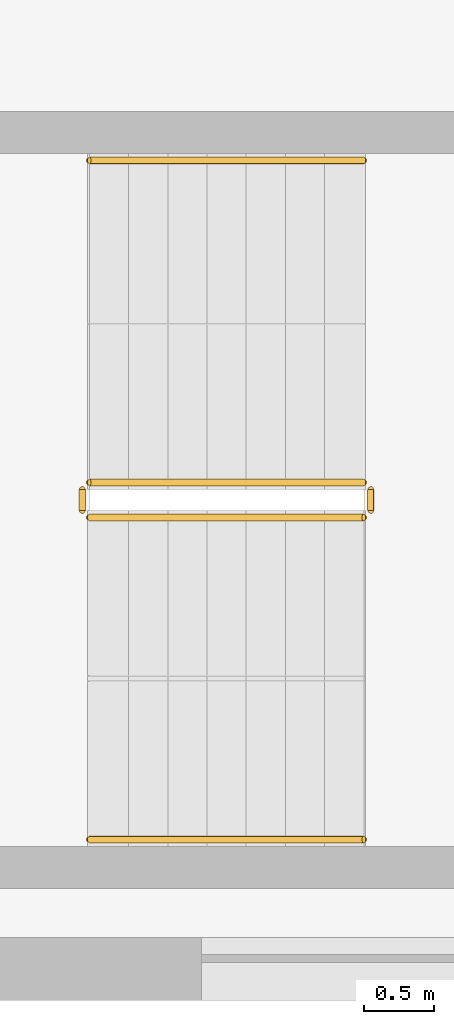
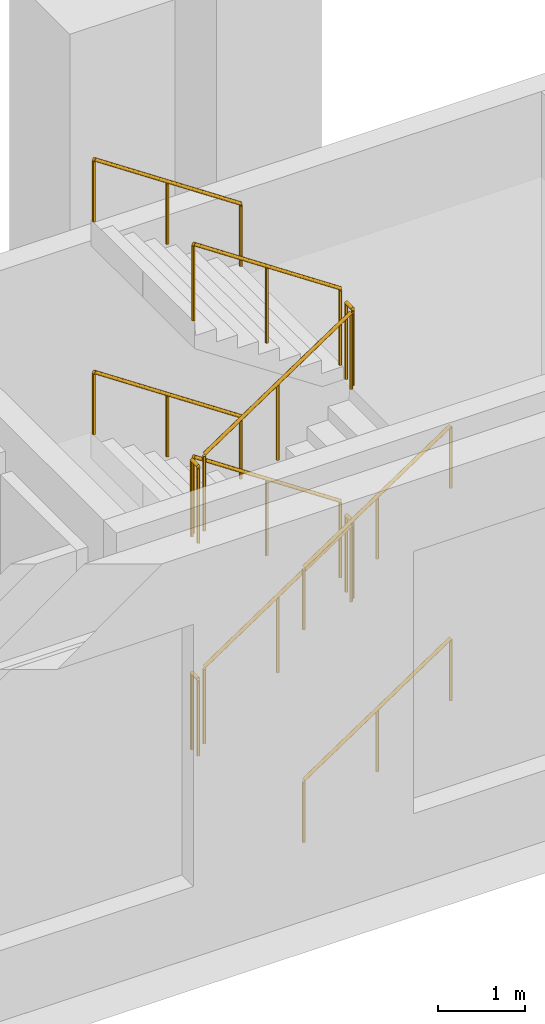
# One storey, part 23 of 30: 12 railings.
"""IFC4 building model written with IfcOpenShell, lengths in metres."""

from ifc_helpers import new_model, si_unit, direction, frame, origin, origin_2d, place, context, subcontext, project, spatial, circle, extrude, material, type_object, element, save


model = new_model("IFC4")

# Units and contexts
model_context = context("Model", 3, precision=1e-05, world=origin(), true_north=direction((0.0, 1.0)))
body_context = subcontext(model_context, "Body", "Model", "MODEL_VIEW")
ifc_project = project(units=[si_unit("LENGTHUNIT", "METRE"), si_unit("AREAUNIT", "SQUARE_METRE"), si_unit("VOLUMEUNIT", "CUBIC_METRE"), si_unit("PLANEANGLEUNIT", "RADIAN"), si_unit("MASSUNIT", "GRAM", prefix="KILO")], contexts=[model_context])

# Site, building, storey
site_placement = place(None, origin())
site = spatial("IfcSite", under=ifc_project, at=site_placement, CompositionType="ELEMENT")
building_placement = place(site_placement, origin())
building = spatial("IfcBuilding", under=site, at=building_placement, Name="Wharfspan Tower", CompositionType="ELEMENT")
storey_placement = place(building_placement, frame((0.0, 0.0, 21.5)))
storey = spatial("IfcBuildingStorey", under=building, at=storey_placement, Name="L03", CompositionType="ELEMENT", Elevation=21.5)

# Railings
ifc_material = material(Name="Steel S355J2", Category="steel")
railing_type_1 = type_object("IfcRailingType", Name="Podium guard 1100", PredefinedType="GUARDRAIL", material=ifc_material)
railing_1_placement = place(storey_placement, frame((43.699951, -28.550049, 0.1875)))
element("IfcRailing", 1, at=railing_1_placement, inside=storey, type_object=railing_type_1, Name="L03 AS5 stair guard 1", PredefinedType="GUARDRAIL", context=body_context, shape_type="SweptSolid", body=[
    extrude(circle(Radius=0.023926, at=origin_2d()), frame((0.0, 0.0, 1.076172), z_axis=(0.830902, 0.0, 0.556419), x_axis=(0.0, 1.0, 0.0)), (0.0, 0.0, 1.0), 2.358887),
    extrude(circle(Radius=0.020996, at=origin_2d()), origin(), (0.0, 0.0, 1.0), 1.052002),
    extrude(circle(Radius=0.020996, at=origin_2d()), frame((0.97998, 0.0, 0.65625)), (0.0, 0.0, 1.0), 1.052002),
    extrude(circle(Radius=0.020996, at=origin_2d()), frame((1.959961, 0.0, 1.3125)), (0.0, 0.0, 1.0), 1.052002),
])
railing_2_placement = place(storey_placement, frame((45.709961, -28.5, 1.5)))
element("IfcRailing", 2, at=railing_2_placement, inside=storey, type_object=railing_type_1, Name="L03 AS5 stair guard 2", PredefinedType="GUARDRAIL", context=body_context, shape_type="SweptSolid", body=[
    extrude(circle(Radius=0.023926, at=origin_2d()), frame((0.0, 0.0, 1.076172), z_axis=(0.0, 1.0, 0.0), x_axis=(-1.0, 0.0, 0.0)), (0.0, 0.0, 1.0), 0.149902),
    extrude(circle(Radius=0.020996, at=origin_2d()), origin(), (0.0, 0.0, 1.0), 1.052002),
    extrude(circle(Radius=0.020996, at=origin_2d()), frame((0.0, 0.149902, 0.0)), (0.0, 0.0, 1.0), 1.052002),
])
railing_3_placement = place(storey_placement, frame((45.659912, -28.300049, 1.6875)))
element("IfcRailing", 3, at=railing_3_placement, inside=storey, type_object=railing_type_1, Name="L03 AS5 stair guard 3", PredefinedType="GUARDRAIL", context=body_context, shape_type="SweptSolid", body=[
    extrude(circle(Radius=0.023926, at=origin_2d()), frame((0.0, 0.0, 1.076172), z_axis=(-0.830902, 0.0, 0.556419), x_axis=(0.0, -1.0, 0.0)), (0.0, 0.0, 1.0), 2.358887),
    extrude(circle(Radius=0.020996, at=origin_2d()), origin(), (0.0, 0.0, 1.0), 1.052002),
    extrude(circle(Radius=0.020996, at=origin_2d()), frame((-0.97998, 0.0, 0.65625)), (0.0, 0.0, 1.0), 1.052002),
    extrude(circle(Radius=0.020996, at=origin_2d()), frame((-1.959961, 0.0, 1.3125)), (0.0, 0.0, 1.0), 1.052002),
])
railing_4_placement = place(storey_placement, frame((43.649902, -28.5, 3.0)))
element("IfcRailing", 4, at=railing_4_placement, inside=storey, type_object=railing_type_1, Name="L03 AS5 stair guard 4", PredefinedType="GUARDRAIL", context=body_context, shape_type="SweptSolid", body=[
    extrude(circle(Radius=0.023926, at=origin_2d()), frame((0.0, 0.0, 1.076172), z_axis=(0.0, 1.0, 0.0), x_axis=(-1.0, 0.0, 0.0)), (0.0, 0.0, 1.0), 0.149902),
    extrude(circle(Radius=0.020996, at=origin_2d()), origin(), (0.0, 0.0, 1.0), 1.052002),
    extrude(circle(Radius=0.020996, at=origin_2d()), frame((0.0, 0.149902, 0.0)), (0.0, 0.0, 1.0), 1.052002),
])
railing_5_placement = place(storey_placement, frame((43.699951, -28.550049, 3.1875)))
element("IfcRailing", 5, at=railing_5_placement, inside=storey, type_object=railing_type_1, Name="L03 AS5 stair guard 5", PredefinedType="GUARDRAIL", context=body_context, shape_type="SweptSolid", body=[
    extrude(circle(Radius=0.023926, at=origin_2d()), frame((0.0, 0.0, 1.076172), z_axis=(0.830902, 0.0, 0.556419), x_axis=(0.0, 1.0, 0.0)), (0.0, 0.0, 1.0), 2.358887),
    extrude(circle(Radius=0.020996, at=origin_2d()), origin(), (0.0, 0.0, 1.0), 1.052002),
    extrude(circle(Radius=0.020996, at=origin_2d()), frame((0.97998, 0.0, 0.65625)), (0.0, 0.0, 1.0), 1.052002),
    extrude(circle(Radius=0.020996, at=origin_2d()), frame((1.959961, 0.0, 1.3125)), (0.0, 0.0, 1.0), 1.052002),
])
railing_6_placement = place(storey_placement, frame((45.709961, -28.5, 4.5)))
element("IfcRailing", 6, at=railing_6_placement, inside=storey, type_object=railing_type_1, Name="L03 AS5 stair guard 6", PredefinedType="GUARDRAIL", context=body_context, shape_type="SweptSolid", body=[
    extrude(circle(Radius=0.023926, at=origin_2d()), frame((0.0, 0.0, 1.076172), z_axis=(0.0, 1.0, 0.0), x_axis=(-1.0, 0.0, 0.0)), (0.0, 0.0, 1.0), 0.149902),
    extrude(circle(Radius=0.020996, at=origin_2d()), origin(), (0.0, 0.0, 1.0), 1.052002),
    extrude(circle(Radius=0.020996, at=origin_2d()), frame((0.0, 0.149902, 0.0)), (0.0, 0.0, 1.0), 1.052002),
])
railing_7_placement = place(storey_placement, frame((45.659912, -28.300049, 4.6875)))
element("IfcRailing", 7, at=railing_7_placement, inside=storey, type_object=railing_type_1, Name="L03 AS5 stair guard 7", PredefinedType="GUARDRAIL", context=body_context, shape_type="SweptSolid", body=[
    extrude(circle(Radius=0.023926, at=origin_2d()), frame((0.0, 0.0, 1.076172), z_axis=(-0.830902, 0.0, 0.556419), x_axis=(0.0, -1.0, 0.0)), (0.0, 0.0, 1.0), 2.358887),
    extrude(circle(Radius=0.020996, at=origin_2d()), origin(), (0.0, 0.0, 1.0), 1.052002),
    extrude(circle(Radius=0.020996, at=origin_2d()), frame((-0.97998, 0.0, 0.65625)), (0.0, 0.0, 1.0), 1.052002),
    extrude(circle(Radius=0.020996, at=origin_2d()), frame((-1.959961, 0.0, 1.3125)), (0.0, 0.0, 1.0), 1.052002),
])
railing_8_placement = place(storey_placement, frame((43.649902, -28.5, 0.0)))
element("IfcRailing", 8, at=railing_8_placement, inside=storey, type_object=railing_type_1, Name="L03 AS5 stair guard 8", PredefinedType="GUARDRAIL", context=body_context, shape_type="SweptSolid", body=[
    extrude(circle(Radius=0.023926, at=origin_2d()), frame((0.0, 0.0, 1.076172), z_axis=(0.0, 1.0, 0.0), x_axis=(-1.0, 0.0, 0.0)), (0.0, 0.0, 1.0), 0.149902),
    extrude(circle(Radius=0.020996, at=origin_2d()), origin(), (0.0, 0.0, 1.0), 1.052002),
    extrude(circle(Radius=0.020996, at=origin_2d()), frame((0.0, 0.149902, 0.0)), (0.0, 0.0, 1.0), 1.052002),
])
railing_type_2 = type_object("IfcRailingType", Name="Podium stair handrail 900", PredefinedType="HANDRAIL", material=ifc_material)
railing_9_placement = place(storey_placement, frame((43.699951, -30.850098, 0.1875)))
element("IfcRailing", 9, at=railing_9_placement, inside=storey, type_object=railing_type_2, Name="L03 AS5 stair handrail 1", PredefinedType="HANDRAIL", context=body_context, shape_type="SweptSolid", body=[
    extrude(circle(Radius=0.023926, at=origin_2d()), frame((0.0, 0.0, 0.875977), z_axis=(0.830902, 0.0, 0.556419), x_axis=(0.0, 1.0, 0.0)), (0.0, 0.0, 1.0), 2.358887),
    extrude(circle(Radius=0.020996, at=origin_2d()), origin(), (0.0, 0.0, 1.0), 0.851807),
    extrude(circle(Radius=0.020996, at=origin_2d()), frame((0.97998, 0.0, 0.65625)), (0.0, 0.0, 1.0), 0.851807),
    extrude(circle(Radius=0.020996, at=origin_2d()), frame((1.959961, 0.0, 1.3125)), (0.0, 0.0, 1.0), 0.851807),
])
railing_10_placement = place(storey_placement, frame((45.659912, -26.0, 1.6875)))
element("IfcRailing", 10, at=railing_10_placement, inside=storey, type_object=railing_type_2, Name="L03 AS5 stair handrail 2", PredefinedType="HANDRAIL", context=body_context, shape_type="SweptSolid", body=[
    extrude(circle(Radius=0.023926, at=origin_2d()), frame((0.0, 0.0, 0.875977), z_axis=(-0.830902, 0.0, 0.556419), x_axis=(0.0, -1.0, 0.0)), (0.0, 0.0, 1.0), 2.358887),
    extrude(circle(Radius=0.020996, at=origin_2d()), origin(), (0.0, 0.0, 1.0), 0.851807),
    extrude(circle(Radius=0.020996, at=origin_2d()), frame((-0.97998, 0.0, 0.65625)), (0.0, 0.0, 1.0), 0.851807),
    extrude(circle(Radius=0.020996, at=origin_2d()), frame((-1.959961, 0.0, 1.3125)), (0.0, 0.0, 1.0), 0.851807),
])
railing_11_placement = place(storey_placement, frame((43.699951, -30.850098, 3.1875)))
element("IfcRailing", 11, at=railing_11_placement, inside=storey, type_object=railing_type_2, Name="L03 AS5 stair handrail 3", PredefinedType="HANDRAIL", context=body_context, shape_type="SweptSolid", body=[
    extrude(circle(Radius=0.023926, at=origin_2d()), frame((0.0, 0.0, 0.875977), z_axis=(0.830902, 0.0, 0.556419), x_axis=(0.0, 1.0, 0.0)), (0.0, 0.0, 1.0), 2.358887),
    extrude(circle(Radius=0.020996, at=origin_2d()), origin(), (0.0, 0.0, 1.0), 0.851807),
    extrude(circle(Radius=0.020996, at=origin_2d()), frame((0.97998, 0.0, 0.65625)), (0.0, 0.0, 1.0), 0.851807),
    extrude(circle(Radius=0.020996, at=origin_2d()), frame((1.959961, 0.0, 1.3125)), (0.0, 0.0, 1.0), 0.851807),
])
railing_12_placement = place(storey_placement, frame((45.659912, -26.0, 4.6875)))
element("IfcRailing", 12, at=railing_12_placement, inside=storey, type_object=railing_type_2, Name="L03 AS5 stair handrail 4", PredefinedType="HANDRAIL", context=body_context, shape_type="SweptSolid", body=[
    extrude(circle(Radius=0.023926, at=origin_2d()), frame((0.0, 0.0, 0.875977), z_axis=(-0.830902, 0.0, 0.556419), x_axis=(0.0, -1.0, 0.0)), (0.0, 0.0, 1.0), 2.358887),
    extrude(circle(Radius=0.020996, at=origin_2d()), origin(), (0.0, 0.0, 1.0), 0.851807),
    extrude(circle(Radius=0.020996, at=origin_2d()), frame((-0.97998, 0.0, 0.65625)), (0.0, 0.0, 1.0), 0.851807),
    extrude(circle(Radius=0.020996, at=origin_2d()), frame((-1.959961, 0.0, 1.3125)), (0.0, 0.0, 1.0), 0.851807),
])

save(model, "model.ifc")
